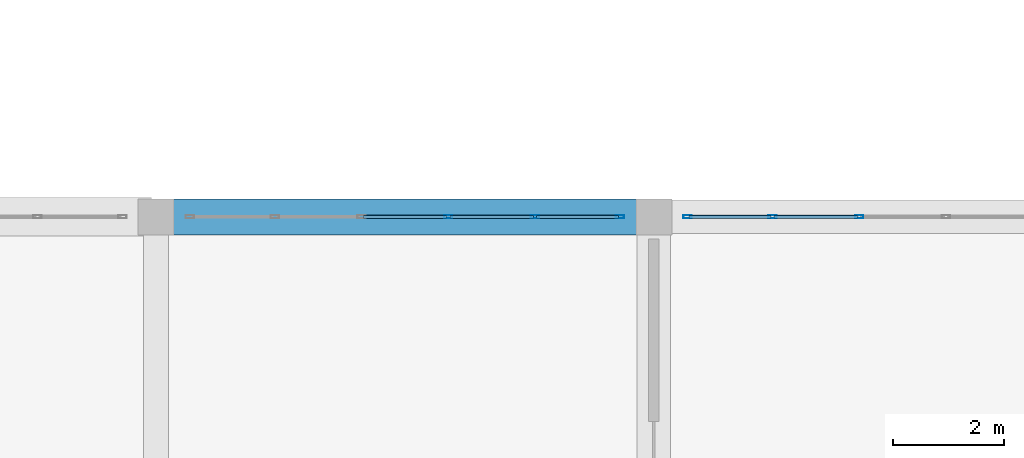
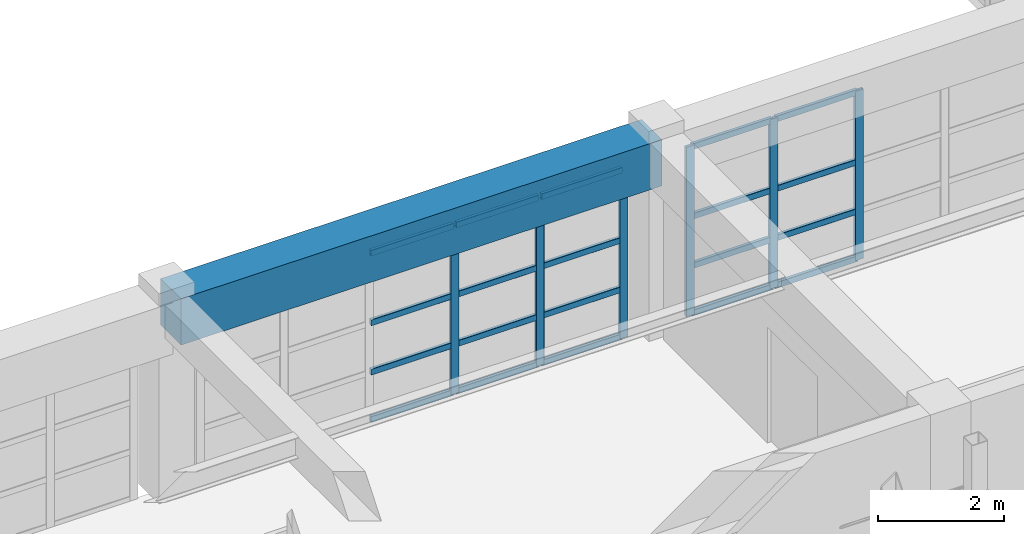
# One storey, part 55 of 130: 26 members, 1 beam, 2 elements without a shape of their own.
"""IFC4 building model written with IfcOpenShell, lengths in metres."""

from ifc_helpers import new_model, si_unit, direction, frame, origin, origin_2d, place, context, subcontext, project, spatial, rectangle, hollow_rectangle, extrude, material, material_profile, profile_set, type_object, element, aggregate, save


model = new_model("IFC4")

# Units and contexts
model_context = context("Model", 3, precision=1e-05, world=origin(), true_north=direction((0.0, 1.0)))
body_context = subcontext(model_context, "Body", "Model", "MODEL_VIEW")
ifc_project = project(units=[si_unit("LENGTHUNIT", "METRE"), si_unit("AREAUNIT", "SQUARE_METRE"), si_unit("VOLUMEUNIT", "CUBIC_METRE"), si_unit("PLANEANGLEUNIT", "RADIAN"), si_unit("MASSUNIT", "GRAM", prefix="KILO")], contexts=[model_context])

# Site, building, storey
site_placement = place(None, origin())
site = spatial("IfcSite", under=ifc_project, at=site_placement, CompositionType="ELEMENT")
building_placement = place(site_placement, origin())
building = spatial("IfcBuilding", under=site, at=building_placement, Name="Miravela Opera House", CompositionType="ELEMENT")
storey_placement = place(building_placement, frame((0.0, 0.0, 9.52001953125)))
storey = spatial("IfcBuildingStorey", under=building, at=storey_placement, Name="L02", CompositionType="ELEMENT", Elevation=9.52001953125)

# Curtain wall, members
ifc_material_1 = material(Name="Anodised architectural bronze aluminium 6063-T6", Category="aluminium")
curtain_wall_type = type_object("IfcCurtainWallType", Name="ARC-CW-05", PredefinedType="NOTDEFINED", material=ifc_material_1)
curtain_wall_1_placement = place(storey_placement, origin())
curtain_wall_1 = element("IfcCurtainWall", 1, at=curtain_wall_1_placement, inside=storey, type_object=curtain_wall_type, Name="Courtyard Arcade Curtain Wall CW-L02-093", PredefinedType="NOTDEFINED")
ifc_material_profile_1 = material_profile(ifc_material_1, hollow_rectangle(XDim=0.06005859375, YDim=0.14990234375, WallThickness=0.00390625, InnerFilletRadius=0.001953125, OuterFilletRadius=0.00390625, at=origin_2d()), Name="CWM-60X150")
ifc_profile_set_1 = profile_set([ifc_material_profile_1])
member_type_1 = type_object("IfcMemberType", Name="ARC-CWM-150", PredefinedType="MULLION", material=ifc_profile_set_1)
member_1_placement = place(storey_placement, frame((50.283935546875, 84.0, 0.0), z_axis=(0.0, 0.0, 1.0), x_axis=(0.0, 1.0, 0.0)))
member_1 = element("IfcMember", 2, at=member_1_placement, type_object=member_type_1, Name="CW-05 mullion 4", PredefinedType="MULLION", context=body_context, shape_type="SweptSolid", body=[
    extrude(hollow_rectangle(XDim=0.06005859375, YDim=0.14990234375, WallThickness=0.00390625, InnerFilletRadius=0.001953125, OuterFilletRadius=0.00390625, at=origin_2d()), origin(), (0.0, 0.0, 1.0), 3.2900390625),
])
member_2_placement = place(storey_placement, frame((51.85205078125, 84.0, 0.0), z_axis=(0.0, 0.0, 1.0), x_axis=(0.0, 1.0, 0.0)))
member_2 = element("IfcMember", 3, at=member_2_placement, type_object=member_type_1, Name="CW-05 mullion 5", PredefinedType="MULLION", context=body_context, shape_type="SweptSolid", body=[
    extrude(hollow_rectangle(XDim=0.06005859375, YDim=0.14990234375, WallThickness=0.00390625, InnerFilletRadius=0.001953125, OuterFilletRadius=0.00390625, at=origin_2d()), origin(), (0.0, 0.0, 1.0), 3.2900390625),
])
member_3_placement = place(storey_placement, frame((53.389892578125, 84.0, 0.0), z_axis=(0.0, 0.0, 1.0), x_axis=(0.0, 1.0, 0.0)))
member_3 = element("IfcMember", 4, at=member_3_placement, type_object=member_type_1, Name="CW-05 mullion 6", PredefinedType="MULLION", context=body_context, shape_type="SweptSolid", body=[
    extrude(hollow_rectangle(XDim=0.06005859375, YDim=0.14990234375, WallThickness=0.00390625, InnerFilletRadius=0.001953125, OuterFilletRadius=0.00390625, at=origin_2d()), origin(), (0.0, 0.0, 1.0), 3.2900390625),
])

curtain_wall_2_placement = place(storey_placement, origin())
curtain_wall_2 = element("IfcCurtainWall", 5, at=curtain_wall_2_placement, inside=storey, type_object=curtain_wall_type, Name="Courtyard Arcade Curtain Wall CW-L02-095", PredefinedType="NOTDEFINED")
member_4_placement = place(storey_placement, frame((54.610107421875, 84.0, 0.0), z_axis=(0.0, 0.0, 1.0), x_axis=(0.0, 1.0, 0.0)))
member_4 = element("IfcMember", 6, at=member_4_placement, type_object=member_type_1, Name="CW-05 mullion 1", PredefinedType="MULLION", context=body_context, shape_type="SweptSolid", body=[
    extrude(hollow_rectangle(XDim=0.06005859375, YDim=0.14990234375, WallThickness=0.00390625, InnerFilletRadius=0.001953125, OuterFilletRadius=0.00390625, at=origin_2d()), origin(), (0.0, 0.0, 1.0), 3.2900390625),
])
member_5_placement = place(storey_placement, frame((56.14794921875, 84.0, 0.0), z_axis=(0.0, 0.0, 1.0), x_axis=(0.0, 1.0, 0.0)))
member_5 = element("IfcMember", 7, at=member_5_placement, type_object=member_type_1, Name="CW-05 mullion 2", PredefinedType="MULLION", context=body_context, shape_type="SweptSolid", body=[
    extrude(hollow_rectangle(XDim=0.06005859375, YDim=0.14990234375, WallThickness=0.00390625, InnerFilletRadius=0.001953125, OuterFilletRadius=0.00390625, at=origin_2d()), origin(), (0.0, 0.0, 1.0), 3.2900390625),
])
member_6_placement = place(storey_placement, frame((57.716064453125, 84.0, 0.0), z_axis=(0.0, 0.0, 1.0), x_axis=(0.0, 1.0, 0.0)))
member_6 = element("IfcMember", 8, at=member_6_placement, type_object=member_type_1, Name="CW-05 mullion 3", PredefinedType="MULLION", context=body_context, shape_type="SweptSolid", body=[
    extrude(hollow_rectangle(XDim=0.06005859375, YDim=0.14990234375, WallThickness=0.00390625, InnerFilletRadius=0.001953125, OuterFilletRadius=0.00390625, at=origin_2d()), origin(), (0.0, 0.0, 1.0), 3.2900390625),
])

# Member
ifc_material_profile_2 = material_profile(ifc_material_1, hollow_rectangle(XDim=0.06005859375, YDim=0.114990234375, WallThickness=0.00390625, InnerFilletRadius=0.001953125, OuterFilletRadius=0.00390625, at=origin_2d()), Name="CWT-60X115")
ifc_profile_set_2 = profile_set([ifc_material_profile_2])
member_type_2 = type_object("IfcMemberType", Name="ARC-CWT-115", PredefinedType="USERDEFINED", material=ifc_profile_set_2)
member_7_placement = place(storey_placement, frame((48.74609375, 84.0, 0.030029296875), z_axis=(1.0, 0.0, 0.0), x_axis=(0.0, 1.0, 0.0)))
member_7 = element("IfcMember", 9, at=member_7_placement, type_object=member_type_2, Name="CW-05 transom 3.1", ObjectType="TRANSOM", PredefinedType="USERDEFINED", context=body_context, shape_type="SweptSolid", body=[
    extrude(hollow_rectangle(XDim=0.06005859375, YDim=0.114990234375, WallThickness=0.00390625, InnerFilletRadius=0.001953125, OuterFilletRadius=0.00390625, at=origin_2d()), origin(), (0.0, 0.0, 1.0), 1.5078125),
])

member_8_placement = place(storey_placement, frame((48.74609375, 84.0, 0.949951171875), z_axis=(1.0, 0.0, 0.0), x_axis=(0.0, 1.0, 0.0)))
member_8 = element("IfcMember", 10, at=member_8_placement, type_object=member_type_2, Name="CW-05 transom 3.2", ObjectType="TRANSOM", PredefinedType="USERDEFINED", context=body_context, shape_type="SweptSolid", body=[
    extrude(hollow_rectangle(XDim=0.06005859375, YDim=0.114990234375, WallThickness=0.00390625, InnerFilletRadius=0.001953125, OuterFilletRadius=0.00390625, at=origin_2d()), origin(), (0.0, 0.0, 1.0), 1.5078125),
])

member_9_placement = place(storey_placement, frame((48.74609375, 84.0, 1.908203125), z_axis=(1.0, 0.0, 0.0), x_axis=(0.0, 1.0, 0.0)))
member_9 = element("IfcMember", 11, at=member_9_placement, type_object=member_type_2, Name="CW-05 transom 3.3", ObjectType="TRANSOM", PredefinedType="USERDEFINED", context=body_context, shape_type="SweptSolid", body=[
    extrude(hollow_rectangle(XDim=0.06005859375, YDim=0.114990234375, WallThickness=0.00390625, InnerFilletRadius=0.001953125, OuterFilletRadius=0.00390625, at=origin_2d()), origin(), (0.0, 0.0, 1.0), 1.5078125),
])

member_10_placement = place(storey_placement, frame((48.74609375, 84.0, 3.260009765625), z_axis=(1.0, 0.0, 0.0), x_axis=(0.0, 1.0, 0.0)))
member_10 = element("IfcMember", 12, at=member_10_placement, type_object=member_type_2, Name="CW-05 transom 3.4", ObjectType="TRANSOM", PredefinedType="USERDEFINED", context=body_context, shape_type="SweptSolid", body=[
    extrude(hollow_rectangle(XDim=0.06005859375, YDim=0.114990234375, WallThickness=0.00390625, InnerFilletRadius=0.001953125, OuterFilletRadius=0.00390625, at=origin_2d()), origin(), (0.0, 0.0, 1.0), 1.5078125),
])

member_11_placement = place(storey_placement, frame((50.31396484375, 84.0, 0.030029296875), z_axis=(1.0, 0.0, 0.0), x_axis=(0.0, 1.0, 0.0)))
member_11 = element("IfcMember", 13, at=member_11_placement, type_object=member_type_2, Name="CW-05 transom 4.1", ObjectType="TRANSOM", PredefinedType="USERDEFINED", context=body_context, shape_type="SweptSolid", body=[
    extrude(hollow_rectangle(XDim=0.06005859375, YDim=0.114990234375, WallThickness=0.00390625, InnerFilletRadius=0.001953125, OuterFilletRadius=0.00390625, at=origin_2d()), origin(), (0.0, 0.0, 1.0), 1.508056640625),
])

member_12_placement = place(storey_placement, frame((50.31396484375, 84.0, 0.949951171875), z_axis=(1.0, 0.0, 0.0), x_axis=(0.0, 1.0, 0.0)))
member_12 = element("IfcMember", 14, at=member_12_placement, type_object=member_type_2, Name="CW-05 transom 4.2", ObjectType="TRANSOM", PredefinedType="USERDEFINED", context=body_context, shape_type="SweptSolid", body=[
    extrude(hollow_rectangle(XDim=0.06005859375, YDim=0.114990234375, WallThickness=0.00390625, InnerFilletRadius=0.001953125, OuterFilletRadius=0.00390625, at=origin_2d()), origin(), (0.0, 0.0, 1.0), 1.508056640625),
])

member_13_placement = place(storey_placement, frame((50.31396484375, 84.0, 1.908203125), z_axis=(1.0, 0.0, 0.0), x_axis=(0.0, 1.0, 0.0)))
member_13 = element("IfcMember", 15, at=member_13_placement, type_object=member_type_2, Name="CW-05 transom 4.3", ObjectType="TRANSOM", PredefinedType="USERDEFINED", context=body_context, shape_type="SweptSolid", body=[
    extrude(hollow_rectangle(XDim=0.06005859375, YDim=0.114990234375, WallThickness=0.00390625, InnerFilletRadius=0.001953125, OuterFilletRadius=0.00390625, at=origin_2d()), origin(), (0.0, 0.0, 1.0), 1.508056640625),
])

member_14_placement = place(storey_placement, frame((50.31396484375, 84.0, 3.260009765625), z_axis=(1.0, 0.0, 0.0), x_axis=(0.0, 1.0, 0.0)))
member_14 = element("IfcMember", 16, at=member_14_placement, type_object=member_type_2, Name="CW-05 transom 4.4", ObjectType="TRANSOM", PredefinedType="USERDEFINED", context=body_context, shape_type="SweptSolid", body=[
    extrude(hollow_rectangle(XDim=0.06005859375, YDim=0.114990234375, WallThickness=0.00390625, InnerFilletRadius=0.001953125, OuterFilletRadius=0.00390625, at=origin_2d()), origin(), (0.0, 0.0, 1.0), 1.508056640625),
])

member_15_placement = place(storey_placement, frame((51.882080078125, 84.0, 0.030029296875), z_axis=(1.0, 0.0, 0.0), x_axis=(0.0, 1.0, 0.0)))
member_15 = element("IfcMember", 17, at=member_15_placement, type_object=member_type_2, Name="CW-05 transom 5.1", ObjectType="TRANSOM", PredefinedType="USERDEFINED", context=body_context, shape_type="SweptSolid", body=[
    extrude(hollow_rectangle(XDim=0.06005859375, YDim=0.114990234375, WallThickness=0.00390625, InnerFilletRadius=0.001953125, OuterFilletRadius=0.00390625, at=origin_2d()), origin(), (0.0, 0.0, 1.0), 1.47802734375),
])

member_16_placement = place(storey_placement, frame((51.882080078125, 84.0, 0.949951171875), z_axis=(1.0, 0.0, 0.0), x_axis=(0.0, 1.0, 0.0)))
member_16 = element("IfcMember", 18, at=member_16_placement, type_object=member_type_2, Name="CW-05 transom 5.2", ObjectType="TRANSOM", PredefinedType="USERDEFINED", context=body_context, shape_type="SweptSolid", body=[
    extrude(hollow_rectangle(XDim=0.06005859375, YDim=0.114990234375, WallThickness=0.00390625, InnerFilletRadius=0.001953125, OuterFilletRadius=0.00390625, at=origin_2d()), origin(), (0.0, 0.0, 1.0), 1.47802734375),
])

member_17_placement = place(storey_placement, frame((51.882080078125, 84.0, 1.908203125), z_axis=(1.0, 0.0, 0.0), x_axis=(0.0, 1.0, 0.0)))
member_17 = element("IfcMember", 19, at=member_17_placement, type_object=member_type_2, Name="CW-05 transom 5.3", ObjectType="TRANSOM", PredefinedType="USERDEFINED", context=body_context, shape_type="SweptSolid", body=[
    extrude(hollow_rectangle(XDim=0.06005859375, YDim=0.114990234375, WallThickness=0.00390625, InnerFilletRadius=0.001953125, OuterFilletRadius=0.00390625, at=origin_2d()), origin(), (0.0, 0.0, 1.0), 1.47802734375),
])

member_18_placement = place(storey_placement, frame((51.882080078125, 84.0, 3.260009765625), z_axis=(1.0, 0.0, 0.0), x_axis=(0.0, 1.0, 0.0)))
member_18 = element("IfcMember", 20, at=member_18_placement, type_object=member_type_2, Name="CW-05 transom 5.4", ObjectType="TRANSOM", PredefinedType="USERDEFINED", context=body_context, shape_type="SweptSolid", body=[
    extrude(hollow_rectangle(XDim=0.06005859375, YDim=0.114990234375, WallThickness=0.00390625, InnerFilletRadius=0.001953125, OuterFilletRadius=0.00390625, at=origin_2d()), origin(), (0.0, 0.0, 1.0), 1.47802734375),
])

aggregate(curtain_wall_1, [member_1, member_2, member_3, member_7, member_8, member_9, member_10, member_11, member_12, member_13, member_14, member_15, member_16, member_17, member_18])

member_19_placement = place(storey_placement, frame((54.639892578125, 84.0, 0.030029296875), z_axis=(1.0, 0.0, 0.0), x_axis=(0.0, 1.0, 0.0)))
member_19 = element("IfcMember", 21, at=member_19_placement, type_object=member_type_2, Name="CW-05 transom 1.1", ObjectType="TRANSOM", PredefinedType="USERDEFINED", context=body_context, shape_type="SweptSolid", body=[
    extrude(hollow_rectangle(XDim=0.06005859375, YDim=0.114990234375, WallThickness=0.00390625, InnerFilletRadius=0.001953125, OuterFilletRadius=0.00390625, at=origin_2d()), origin(), (0.0, 0.0, 1.0), 1.47802734375),
])

member_20_placement = place(storey_placement, frame((54.639892578125, 84.0, 0.949951171875), z_axis=(1.0, 0.0, 0.0), x_axis=(0.0, 1.0, 0.0)))
member_20 = element("IfcMember", 22, at=member_20_placement, type_object=member_type_2, Name="CW-05 transom 1.2", ObjectType="TRANSOM", PredefinedType="USERDEFINED", context=body_context, shape_type="SweptSolid", body=[
    extrude(hollow_rectangle(XDim=0.06005859375, YDim=0.114990234375, WallThickness=0.00390625, InnerFilletRadius=0.001953125, OuterFilletRadius=0.00390625, at=origin_2d()), origin(), (0.0, 0.0, 1.0), 1.47802734375),
])

member_21_placement = place(storey_placement, frame((54.639892578125, 84.0, 1.908203125), z_axis=(1.0, 0.0, 0.0), x_axis=(0.0, 1.0, 0.0)))
member_21 = element("IfcMember", 23, at=member_21_placement, type_object=member_type_2, Name="CW-05 transom 1.3", ObjectType="TRANSOM", PredefinedType="USERDEFINED", context=body_context, shape_type="SweptSolid", body=[
    extrude(hollow_rectangle(XDim=0.06005859375, YDim=0.114990234375, WallThickness=0.00390625, InnerFilletRadius=0.001953125, OuterFilletRadius=0.00390625, at=origin_2d()), origin(), (0.0, 0.0, 1.0), 1.47802734375),
])

member_22_placement = place(storey_placement, frame((54.639892578125, 84.0, 3.260009765625), z_axis=(1.0, 0.0, 0.0), x_axis=(0.0, 1.0, 0.0)))
member_22 = element("IfcMember", 24, at=member_22_placement, type_object=member_type_2, Name="CW-05 transom 1.4", ObjectType="TRANSOM", PredefinedType="USERDEFINED", context=body_context, shape_type="SweptSolid", body=[
    extrude(hollow_rectangle(XDim=0.06005859375, YDim=0.114990234375, WallThickness=0.00390625, InnerFilletRadius=0.001953125, OuterFilletRadius=0.00390625, at=origin_2d()), origin(), (0.0, 0.0, 1.0), 1.47802734375),
])

member_23_placement = place(storey_placement, frame((56.177978515625, 84.0, 0.030029296875), z_axis=(1.0, 0.0, 0.0), x_axis=(0.0, 1.0, 0.0)))
member_23 = element("IfcMember", 25, at=member_23_placement, type_object=member_type_2, Name="CW-05 transom 2.1", ObjectType="TRANSOM", PredefinedType="USERDEFINED", context=body_context, shape_type="SweptSolid", body=[
    extrude(hollow_rectangle(XDim=0.06005859375, YDim=0.114990234375, WallThickness=0.00390625, InnerFilletRadius=0.001953125, OuterFilletRadius=0.00390625, at=origin_2d()), origin(), (0.0, 0.0, 1.0), 1.508056640625),
])

member_24_placement = place(storey_placement, frame((56.177978515625, 84.0, 0.949951171875), z_axis=(1.0, 0.0, 0.0), x_axis=(0.0, 1.0, 0.0)))
member_24 = element("IfcMember", 26, at=member_24_placement, type_object=member_type_2, Name="CW-05 transom 2.2", ObjectType="TRANSOM", PredefinedType="USERDEFINED", context=body_context, shape_type="SweptSolid", body=[
    extrude(hollow_rectangle(XDim=0.06005859375, YDim=0.114990234375, WallThickness=0.00390625, InnerFilletRadius=0.001953125, OuterFilletRadius=0.00390625, at=origin_2d()), origin(), (0.0, 0.0, 1.0), 1.508056640625),
])

member_25_placement = place(storey_placement, frame((56.177978515625, 84.0, 1.908203125), z_axis=(1.0, 0.0, 0.0), x_axis=(0.0, 1.0, 0.0)))
member_25 = element("IfcMember", 27, at=member_25_placement, type_object=member_type_2, Name="CW-05 transom 2.3", ObjectType="TRANSOM", PredefinedType="USERDEFINED", context=body_context, shape_type="SweptSolid", body=[
    extrude(hollow_rectangle(XDim=0.06005859375, YDim=0.114990234375, WallThickness=0.00390625, InnerFilletRadius=0.001953125, OuterFilletRadius=0.00390625, at=origin_2d()), origin(), (0.0, 0.0, 1.0), 1.508056640625),
])

member_26_placement = place(storey_placement, frame((56.177978515625, 84.0, 3.260009765625), z_axis=(1.0, 0.0, 0.0), x_axis=(0.0, 1.0, 0.0)))
member_26 = element("IfcMember", 28, at=member_26_placement, type_object=member_type_2, Name="CW-05 transom 2.4", ObjectType="TRANSOM", PredefinedType="USERDEFINED", context=body_context, shape_type="SweptSolid", body=[
    extrude(hollow_rectangle(XDim=0.06005859375, YDim=0.114990234375, WallThickness=0.00390625, InnerFilletRadius=0.001953125, OuterFilletRadius=0.00390625, at=origin_2d()), origin(), (0.0, 0.0, 1.0), 1.508056640625),
])

aggregate(curtain_wall_2, [member_4, member_5, member_6, member_19, member_20, member_21, member_22, member_23, member_24, member_25, member_26])

# Beam
ifc_material_2 = material(Name="Concrete C40/50", Category="concrete")
ifc_material_profile_3 = material_profile(ifc_material_2, rectangle(XDim=0.64990234375, YDim=0.89990234375, at=origin_2d()), Name="RC-BM-650X900")
ifc_profile_set_3 = profile_set([ifc_material_profile_3])
beam_type = type_object("IfcBeamType", Name="STR-BM-RC650X900", PredefinedType="BEAM", material=ifc_profile_set_3)
beam_placement = place(storey_placement, frame((45.080078125, 84.0, 3.389892578125), z_axis=(1.0, 0.0, 0.0), x_axis=(0.0, 1.0, 0.0)))
element("IfcBeam", 29, at=beam_placement, inside=storey, type_object=beam_type, Name="Floor Girder L02 6-7/J", PredefinedType="BEAM", context=body_context, shape_type="SweptSolid", body=[
    extrude(rectangle(XDim=0.64990234375, YDim=0.89990234375, at=origin_2d()), origin(), (0.0, 0.0, 1.0), 8.83984375),
])

save(model, "model.ifc")
